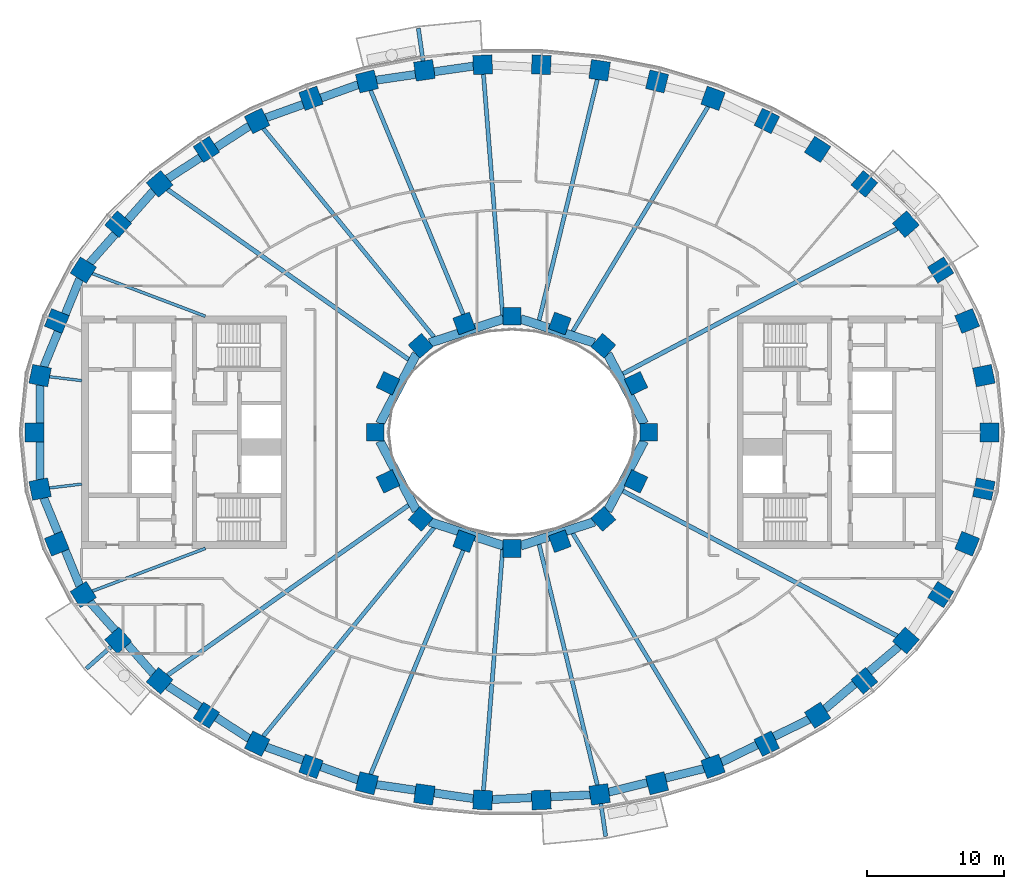
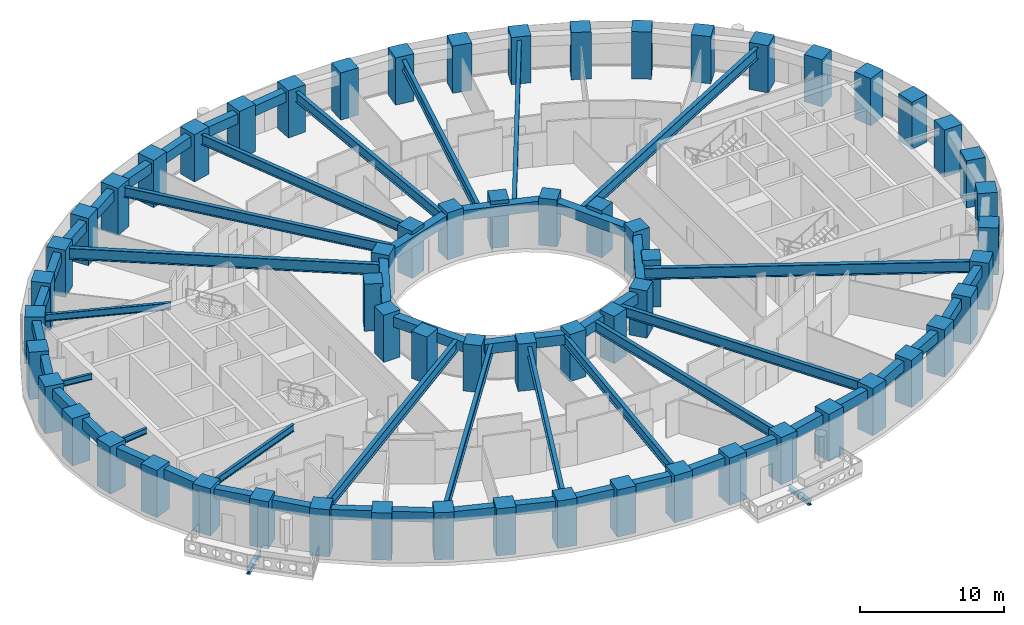
# One storey, part 1 of 16: 62 columns, 44 beams.
"""IFC4 building model written with IfcOpenShell, lengths in metres."""

from ifc_helpers import new_model, si_unit, direction, frame, origin, origin_2d, place, context, subcontext, project, spatial, rectangle, i_section, extrude, material, material_profile, profile_set, type_object, element, save


model = new_model("IFC4")

# Units and contexts
model_context = context("Model", 3, precision=1e-05, world=origin(), true_north=direction((0.0, 1.0)))
body_context = subcontext(model_context, "Body", "Model", "MODEL_VIEW")
ifc_project = project(units=[si_unit("LENGTHUNIT", "METRE"), si_unit("AREAUNIT", "SQUARE_METRE"), si_unit("VOLUMEUNIT", "CUBIC_METRE"), si_unit("PLANEANGLEUNIT", "RADIAN"), si_unit("MASSUNIT", "GRAM", prefix="KILO")], contexts=[model_context])

# Site, building, storey
site_placement = place(None, origin())
site = spatial("IfcSite", under=ifc_project, at=site_placement, CompositionType="ELEMENT")
building_placement = place(site_placement, origin())
building = spatial("IfcBuilding", under=site, at=building_placement, Name="Noorbagh Ring Tower", CompositionType="ELEMENT")
storey_placement = place(building_placement, frame((0.0, 0.0, 66.5)))
storey = spatial("IfcBuildingStorey", under=building, at=storey_placement, Name="L14", CompositionType="ELEMENT", Elevation=66.5)

# Columns
ifc_material_1 = material(Name="Concrete C70/85", Category="concrete")
ifc_material_profile_1 = material_profile(ifc_material_1, rectangle(XDim=1.39990234375, YDim=1.39990234375, at=origin_2d()), Name="RC1400x1400")
ifc_profile_set_1 = profile_set([ifc_material_profile_1], Name="Concrete C70/85")
column_type_1 = type_object("IfcColumnType", Name="STR-COL-RC1400x1400-C70-85", PredefinedType="COLUMN", material=ifc_profile_set_1)
for number, where, z_axis, x_axis, name in (
    (1, (34.944580078125, 0.0, 0.0), (0.0, 0.0, 1.0), (0.0, 1.0, 0.0), "L14/col/R1-01"),
    (2, (34.52685546875, 4.150634765625, 0.0), (0.0, 0.0, 1.0), (-0.19723040178, 0.9803571638, 0.0), "L14/col/R1-02"),
    (3, (33.30517578125, 8.1494140625, 0.0), (0.0, 0.0, 1.0), (-0.378989499959, 0.925400971969, 0.0), "L14/col/R1-03"),
    (4, (31.364990234375, 11.87109375, 0.0), (0.0, 0.0, 1.0), (-0.535190403059, 0.844731455833, 0.0), "L14/col/R1-04"),
    (5, (28.81884765625, 15.23046875, 0.0), (0.0, 0.0, 1.0), (-0.662635642662, 0.748941923699, 0.0), "L14/col/R1-05"),
    (6, (25.78271484375, 18.180419921875, 0.0), (0.0, 0.0, 1.0), (-0.763035199656, 0.646356932419, 0.0), "L14/col/R1-06"),
    (7, (22.362060546875, 20.699951171875, 0.0), (0.0, 0.0, 1.0), (-0.840247639643, 0.542202825586, 0.0), "L14/col/R1-07"),
    (8, (18.646240234375, 22.785400390625, 0.0), (0.0, 0.0, 1.0), (-0.898399080868, 0.439180021741, 0.0), "L14/col/R1-08"),
    (9, (14.70947265625, 24.44091796875, 0.0), (0.0, 0.0, 1.0), (-0.941024726094, 0.338337797003, 0.0), "L14/col/R1-09"),
    (10, (10.61328125, 25.673583984375, 0.0), (0.0, 0.0, 1.0), (-0.970829360981, 0.239771457553, 0.0), "L14/col/R1-10"),
    (11, (6.4091796875, 26.49072265625, 0.0), (0.0, 0.0, 1.0), (-0.989713114048, 0.143066249975, 0.0), "L14/col/R1-11"),
    (12, (2.14306640625, 26.89794921875, 0.0), (0.0, 0.0, 1.0), (-0.998868731212, 0.047552684538, 0.0), "L14/col/R1-12"),
    (13, (-2.14306640625, 26.89794921875, 0.0), (0.0, 0.0, 1.0), (-0.998868731212, -0.047552684538, 0.0), "L14/col/R1-13"),
    (14, (-6.4091796875, 26.49072265625, 0.0), (0.0, 0.0, 1.0), (-0.989713114048, -0.143066249975, 0.0), "L14/col/R1-14"),
    (15, (-10.61328125, 25.673583984375, 0.0), (0.0, 0.0, 1.0), (-0.970829360981, -0.239771457553, 0.0), "L14/col/R1-15"),
    (16, (-14.70947265625, 24.44091796875, 0.0), (0.0, 0.0, 1.0), (-0.941024726094, -0.338337797003, 0.0), "L14/col/R1-16"),
    (17, (-18.646240234375, 22.785400390625, 0.0), (0.0, 0.0, 1.0), (-0.898399080868, -0.439180021741, 0.0), "L14/col/R1-17"),
    (18, (-22.362060546875, 20.699951171875, 0.0), (0.0, 0.0, 1.0), (-0.840247639643, -0.542202825586, 0.0), "L14/col/R1-18"),
    (19, (-25.78271484375, 18.180419921875, 0.0), (0.0, 0.0, 1.0), (-0.763035199656, -0.646356932419, 0.0), "L14/col/R1-19"),
    (20, (-28.81884765625, 15.23046875, 0.0), (0.0, 0.0, 1.0), (-0.662635642662, -0.748941923699, 0.0), "L14/col/R1-20"),
    (21, (-31.364990234375, 11.87109375, 0.0), (0.0, 0.0, 1.0), (-0.535190403059, -0.844731455833, 0.0), "L14/col/R1-21"),
    (22, (-33.30517578125, 8.1494140625, 0.0), (0.0, 0.0, 1.0), (-0.378989499959, -0.925400971969, 0.0), "L14/col/R1-22"),
    (23, (-34.52685546875, 4.150634765625, 0.0), (0.0, 0.0, 1.0), (-0.19723040178, -0.9803571638, 0.0), "L14/col/R1-23"),
    (24, (-34.944580078125, 0.0, 0.0), (0.0, 0.0, 1.0), (0.0, -1.0, 0.0), "L14/col/R1-24"),
    (25, (-34.52685546875, -4.150634765625, 0.0), (0.0, 0.0, 1.0), (0.19723040178, -0.9803571638, 0.0), "L14/col/R1-25"),
    (26, (-33.30517578125, -8.1494140625, 0.0), (0.0, 0.0, 1.0), (0.378989499959, -0.925400971969, 0.0), "L14/col/R1-26"),
    (27, (-31.364990234375, -11.87109375, 0.0), (0.0, 0.0, 1.0), (0.535190403059, -0.844731455833, 0.0), "L14/col/R1-27"),
    (28, (-28.81884765625, -15.23046875, 0.0), (0.0, 0.0, 1.0), (0.662635642662, -0.748941923699, 0.0), "L14/col/R1-28"),
    (29, (-25.78271484375, -18.180419921875, 0.0), (0.0, 0.0, 1.0), (0.763035199656, -0.646356932419, 0.0), "L14/col/R1-29"),
    (30, (-22.362060546875, -20.699951171875, 0.0), (0.0, 0.0, 1.0), (0.840247639643, -0.542202825586, 0.0), "L14/col/R1-30"),
    (31, (-18.646240234375, -22.785400390625, 0.0), (0.0, 0.0, 1.0), (0.898399080868, -0.439180021741, 0.0), "L14/col/R1-31"),
    (32, (-14.70947265625, -24.44091796875, 0.0), (0.0, 0.0, 1.0), (0.941024726094, -0.338337797003, 0.0), "L14/col/R1-32"),
    (33, (-10.61328125, -25.673583984375, 0.0), (0.0, 0.0, 1.0), (0.970829360981, -0.239771457553, 0.0), "L14/col/R1-33"),
    (34, (-6.4091796875, -26.49072265625, 0.0), (0.0, 0.0, 1.0), (0.989713114048, -0.143066249975, 0.0), "L14/col/R1-34"),
    (35, (-2.14306640625, -26.89794921875, 0.0), (0.0, 0.0, 1.0), (0.998868731212, -0.047552684538, 0.0), "L14/col/R1-35"),
    (36, (2.14306640625, -26.89794921875, 0.0), (0.0, 0.0, 1.0), (0.998868731212, 0.047552684538, 0.0), "L14/col/R1-36"),
    (37, (6.4091796875, -26.49072265625, 0.0), (0.0, 0.0, 1.0), (0.989713114048, 0.143066249975, 0.0), "L14/col/R1-37"),
    (38, (10.61328125, -25.673583984375, 0.0), (0.0, 0.0, 1.0), (0.970829360981, 0.239771457553, 0.0), "L14/col/R1-38"),
    (39, (14.70947265625, -24.44091796875, 0.0), (0.0, 0.0, 1.0), (0.941024726094, 0.338337797003, 0.0), "L14/col/R1-39"),
    (40, (18.646240234375, -22.785400390625, 0.0), (0.0, 0.0, 1.0), (0.898399080868, 0.439180021741, 0.0), "L14/col/R1-40"),
    (41, (22.362060546875, -20.699951171875, 0.0), (0.0, 0.0, 1.0), (0.840247639643, 0.542202825586, 0.0), "L14/col/R1-41"),
    (42, (25.78271484375, -18.180419921875, 0.0), (0.0, 0.0, 1.0), (0.763035199656, 0.646356932419, 0.0), "L14/col/R1-42"),
    (43, (28.81884765625, -15.23046875, 0.0), (0.0, 0.0, 1.0), (0.662635642662, 0.748941923699, 0.0), "L14/col/R1-43"),
    (44, (31.364990234375, -11.87109375, 0.0), (0.0, 0.0, 1.0), (0.535190403059, 0.844731455833, 0.0), "L14/col/R1-44"),
    (45, (33.30517578125, -8.1494140625, 0.0), (0.0, 0.0, 1.0), (0.378989499959, 0.925400971969, 0.0), "L14/col/R1-45"),
    (46, (34.52685546875, -4.150634765625, 0.0), (0.0, 0.0, 1.0), (0.19723040178, 0.9803571638, 0.0), "L14/col/R1-46"),
):
    element("IfcColumn", number, at=place(storey_placement, frame(where, z_axis=z_axis, x_axis=x_axis)), inside=storey, type_object=column_type_1, Name=name, PredefinedType="COLUMN", context=body_context, shape_type="SweptSolid", body=[
        extrude(rectangle(XDim=1.39990234375, YDim=1.39990234375, at=origin_2d()), origin(), (0.0, 0.0, 1.0), 4.0),
    ])
ifc_material_2 = material(Name="Concrete C70/85", Category="concrete")
ifc_material_profile_2 = material_profile(ifc_material_2, rectangle(XDim=1.300048828125, YDim=1.300048828125, at=origin_2d()), Name="RC1300x1300")
ifc_profile_set_2 = profile_set([ifc_material_profile_2], Name="Concrete C70/85")
column_type_2 = type_object("IfcColumnType", Name="STR-ICOL-RC1300x1300-C70-85", PredefinedType="COLUMN", material=ifc_profile_set_2)
for number, where, z_axis, x_axis, name in (
    (47, (10.00830078125, 0.0, 0.0), (0.0, 0.0, 1.0), (0.0, 1.0, 0.0), "L14/col/IR2-W01"),
    (48, (9.07568359375, 3.58837890625, 0.0), (0.0, 0.0, 1.0), (-0.428666979171, 0.903462573087, 0.0), "L14/col/IR2-W03"),
    (49, (6.68212890625, 6.333740234375, 0.0), (0.0, 0.0, 1.0), (-0.75102249095, 0.660276622399, 0.0), "L14/col/IR2-W05"),
    (50, (3.5009765625, 7.967041015625, 0.0), (0.0, 0.0, 1.0), (-0.939019578916, 0.343863679984, 0.0), "L14/col/IR2-W07"),
    (51, (0.0, 8.5029296875, 0.0), (0.0, 0.0, 1.0), (-1.0, 0.0, 0.0), "L14/col/IR2-W09"),
    (52, (-3.5009765625, 7.967041015625, 0.0), (0.0, 0.0, 1.0), (-0.939019578916, -0.343863679984, 0.0), "L14/col/IR2-W11"),
    (53, (-6.68212890625, 6.333740234375, 0.0), (0.0, 0.0, 1.0), (-0.75102249095, -0.660276622399, 0.0), "L14/col/IR2-W13"),
    (54, (-9.07568359375, 3.58837890625, 0.0), (0.0, 0.0, 1.0), (-0.428666979171, -0.903462573087, 0.0), "L14/col/IR2-W15"),
    (55, (-10.00830078125, 0.0, 0.0), (0.0, 0.0, 1.0), (0.0, -1.0, 0.0), "L14/col/IR2-W17"),
    (56, (-9.07568359375, -3.58837890625, 0.0), (0.0, 0.0, 1.0), (0.428666979171, -0.903462573087, 0.0), "L14/col/IR2-W19"),
    (57, (-6.68212890625, -6.333740234375, 0.0), (0.0, 0.0, 1.0), (0.75102249095, -0.660276622399, 0.0), "L14/col/IR2-W21"),
    (58, (-3.5009765625, -7.967041015625, 0.0), (0.0, 0.0, 1.0), (0.939019578916, -0.343863679984, 0.0), "L14/col/IR2-W23"),
    (59, (0.0, -8.5029296875, 0.0), (0.0, 0.0, 1.0), (1.0, 0.0, 0.0), "L14/col/IR2-W25"),
    (60, (3.5009765625, -7.967041015625, 0.0), (0.0, 0.0, 1.0), (0.939019578916, 0.343863679984, 0.0), "L14/col/IR2-W27"),
    (61, (6.68212890625, -6.333740234375, 0.0), (0.0, 0.0, 1.0), (0.75102249095, 0.660276622399, 0.0), "L14/col/IR2-W29"),
    (62, (9.07568359375, -3.58837890625, 0.0), (0.0, 0.0, 1.0), (0.428666979171, 0.903462573087, 0.0), "L14/col/IR2-W31"),
):
    element("IfcColumn", number, at=place(storey_placement, frame(where, z_axis=z_axis, x_axis=x_axis)), inside=storey, type_object=column_type_2, Name=name, PredefinedType="COLUMN", context=body_context, shape_type="SweptSolid", body=[
        extrude(rectangle(XDim=1.300048828125, YDim=1.300048828125, at=origin_2d()), origin(), (0.0, 0.0, 1.0), 4.0),
    ])

# Beams
ifc_material_3 = material(Name="Steel S355", Category="steel")
ifc_material_profile_3 = material_profile(ifc_material_3, i_section(OverallWidth=0.300048828125, OverallDepth=0.39990234375, WebThickness=0.013427734375, FlangeThickness=0.02392578125, FilletRadius=0.027099609375, at=origin_2d()), Name="HEB400")
ifc_profile_set_3 = profile_set([ifc_material_profile_3], Name="Steel S355")
beam_type_1 = type_object("IfcBeamType", Name="STR-BALCONY-BRACKET-HEB400", PredefinedType="BEAM", material=ifc_profile_set_3)
beam_1_placement = place(storey_placement, frame((-6.506591796875, 27.163818359375, -0.5), z_axis=(-0.143028732143, 0.989718536646, 0.0), x_axis=(-0.989718536646, -0.143028732143, 0.0)))
element("IfcBeam", 63, at=beam_1_placement, inside=storey, type_object=beam_type_1, Name="Balcony bracket beam BN04", PredefinedType="BEAM", context=body_context, shape_type="SweptSolid", body=[
    extrude(i_section(OverallWidth=0.300048828125, OverallDepth=0.39990234375, WebThickness=0.013427734375, FlangeThickness=0.02392578125, FilletRadius=0.027099609375, at=origin_2d()), origin(), (0.0, 0.0, 1.0), 2.423828125),
])
beam_2_placement = place(storey_placement, frame((-29.328125, -15.680908203125, -0.5), z_axis=(-0.74904259367, -0.662521843314, 0.0), x_axis=(0.662521843314, -0.74904259367, 0.0)))
element("IfcBeam", 64, at=beam_2_placement, inside=storey, type_object=beam_type_1, Name="Balcony bracket beam BS01", PredefinedType="BEAM", context=body_context, shape_type="SweptSolid", body=[
    extrude(i_section(OverallWidth=0.300048828125, OverallDepth=0.39990234375, WebThickness=0.013427734375, FlangeThickness=0.02392578125, FilletRadius=0.027099609375, at=origin_2d()), origin(), (0.0, 0.0, 1.0), 2.429443359375),
])
beam_3_placement = place(storey_placement, frame((6.506591796875, -27.163818359375, -0.5), z_axis=(0.143028732143, -0.989718536646, 0.0), x_axis=(0.989718536646, 0.143028732143, 0.0)))
element("IfcBeam", 65, at=beam_3_placement, inside=storey, type_object=beam_type_1, Name="Balcony bracket beam BS04", PredefinedType="BEAM", context=body_context, shape_type="SweptSolid", body=[
    extrude(i_section(OverallWidth=0.300048828125, OverallDepth=0.39990234375, WebThickness=0.013427734375, FlangeThickness=0.02392578125, FilletRadius=0.027099609375, at=origin_2d()), origin(), (0.0, 0.0, 1.0), 2.423828125),
])
ifc_material_4 = material(Name="Steel S355", Category="steel")
ifc_material_profile_4 = material_profile(ifc_material_4, i_section(OverallWidth=0.199951171875, OverallDepth=0.5, WebThickness=0.01025390625, FlangeThickness=0.01611328125, FilletRadius=0.02099609375, at=origin_2d()), Name="IPE500")
ifc_profile_set_4 = profile_set([ifc_material_profile_4], Name="Steel S355")
beam_type_2 = type_object("IfcBeamType", Name="STR-RAD-IPE500", PredefinedType="BEAM", material=ifc_profile_set_4)
for number, where, z_axis, x_axis, name in (
    (66, (-33.849365234375, 4.0693359375, 3.449951171875), (0.992846305677, -0.119399385689, 0.0), (0.119399385689, 0.992846305677, 0.0), "L14/bm/RD23"),
    (67, (-33.849365234375, -4.0693359375, 3.449951171875), (0.992846305677, 0.119399385689, 0.0), (-0.119399385689, 0.992846305677, 0.0), "L14/bm/RD25"),
):
    element("IfcBeam", number, at=place(storey_placement, frame(where, z_axis=z_axis, x_axis=x_axis)), inside=storey, type_object=beam_type_2, Name=name, PredefinedType="BEAM", context=body_context, shape_type="SweptSolid", body=[
        extrude(i_section(OverallWidth=0.199951171875, OverallDepth=0.5, WebThickness=0.01025390625, FlangeThickness=0.01611328125, FilletRadius=0.02099609375, at=origin_2d()), origin(), (0.0, 0.0, 1.0), 2.38623046875),
    ])
ifc_material_5 = material(Name="Steel S355", Category="steel")
ifc_material_profile_5 = material_profile(ifc_material_5, i_section(OverallWidth=0.219970703125, OverallDepth=0.60009765625, WebThickness=0.011962890625, FlangeThickness=0.01904296875, FilletRadius=0.02392578125, at=origin_2d()), Name="IPE600")
ifc_profile_set_5 = profile_set([ifc_material_profile_5], Name="Steel S355")
beam_type_3 = type_object("IfcBeamType", Name="STR-RAD-IPE600", PredefinedType="BEAM", material=ifc_profile_set_5)
for number, where, z_axis, x_axis, name in (
    (68, (-30.71533203125, 11.625, 3.39990234375), (0.935257869922, -0.353967112524, 0.0), (0.353967112524, 0.935257869922, 0.0), "L14/bm/RD21"),
    (69, (-30.71533203125, -11.625, 3.39990234375), (0.935257869922, 0.353967112524, 0.0), (-0.353967112524, 0.935257869922, 0.0), "L14/bm/RD27"),
):
    element("IfcBeam", number, at=place(storey_placement, frame(where, z_axis=z_axis, x_axis=x_axis)), inside=storey, type_object=beam_type_3, Name=name, PredefinedType="BEAM", context=body_context, shape_type="SweptSolid", body=[
        extrude(i_section(OverallWidth=0.219970703125, OverallDepth=0.60009765625, WebThickness=0.011962890625, FlangeThickness=0.01904296875, FilletRadius=0.02392578125, at=origin_2d()), origin(), (0.0, 0.0, 1.0), 8.848388671875),
    ])
ifc_material_6 = material(Name="Steel S355", Category="steel")
ifc_material_profile_6 = material_profile(ifc_material_6, i_section(OverallWidth=0.300048828125, OverallDepth=0.85009765625, WebThickness=0.013916015625, FlangeThickness=0.028076171875, at=origin_2d()), Name="PG850x300x14x28")
ifc_profile_set_6 = profile_set([ifc_material_profile_6], Name="Steel S355")
beam_type_4 = type_object("IfcBeamType", Name="STR-RAD-PG850x300x14x28", PredefinedType="BEAM", material=ifc_profile_set_6)
beam_4_placement = place(storey_placement, frame((14.351806640625, 23.846435546875, 3.27490234375), z_axis=(-0.515659258166, -0.856793749667, 0.0), x_axis=(0.856793749667, -0.515659258166, 0.0)))
element("IfcBeam", 70, at=beam_4_placement, inside=storey, type_object=beam_type_4, Name="L14/bm/RD09", PredefinedType="BEAM", context=body_context, shape_type="SweptSolid", body=[
    extrude(i_section(OverallWidth=0.300048828125, OverallDepth=0.85009765625, WebThickness=0.013916015625, FlangeThickness=0.028076171875, at=origin_2d()), origin(), (0.0, 0.0, 1.0), 19.216552734375),
])
beam_5_placement = place(storey_placement, frame((6.24853515625, 25.826904296875, 3.27490234375), z_axis=(-0.235159307557, -0.971956840641, 0.0), x_axis=(0.971956840641, -0.235159307557, 0.0)))
element("IfcBeam", 71, at=beam_5_placement, inside=storey, type_object=beam_type_4, Name="L14/bm/RD11", PredefinedType="BEAM", context=body_context, shape_type="SweptSolid", body=[
    extrude(i_section(OverallWidth=0.300048828125, OverallDepth=0.85009765625, WebThickness=0.013916015625, FlangeThickness=0.028076171875, at=origin_2d()), origin(), (0.0, 0.0, 1.0), 18.15478515625),
])
beam_6_placement = place(storey_placement, frame((-2.089111328125, 26.2197265625, 3.27490234375), z_axis=(0.079423302335, -0.996840979819, 0.0), x_axis=(0.996840979819, 0.079423302335, 0.0)))
element("IfcBeam", 72, at=beam_6_placement, inside=storey, type_object=beam_type_4, Name="L14/bm/RD13", PredefinedType="BEAM", context=body_context, shape_type="SweptSolid", body=[
    extrude(i_section(OverallWidth=0.300048828125, OverallDepth=0.85009765625, WebThickness=0.013916015625, FlangeThickness=0.028076171875, at=origin_2d()), origin(), (0.0, 0.0, 1.0), 17.874755859375),
])
beam_7_placement = place(storey_placement, frame((-10.350341796875, 25.037841796875, 3.27490234375), z_axis=(0.382027684337, -0.924150879673, 0.0), x_axis=(0.924150879673, 0.382027684337, 0.0)))
element("IfcBeam", 73, at=beam_7_placement, inside=storey, type_object=beam_type_4, Name="L14/bm/RD15", PredefinedType="BEAM", context=body_context, shape_type="SweptSolid", body=[
    extrude(i_section(OverallWidth=0.300048828125, OverallDepth=0.85009765625, WebThickness=0.013916015625, FlangeThickness=0.028076171875, at=origin_2d()), origin(), (0.0, 0.0, 1.0), 18.6748046875),
])
for number, where, z_axis, x_axis, name in (
    (74, (-18.20361328125, 22.244384765625, 3.27490234375), (0.633313916814, -0.773895007588, 0.0), (0.773895007588, 0.633313916814, 0.0), "L14/bm/RD17"),
    (75, (-18.20361328125, -22.244384765625, 3.27490234375), (0.633313916814, 0.773895007588, 0.0), (-0.773895007588, 0.633313916814, 0.0), "L14/bm/RD31"),
):
    element("IfcBeam", number, at=place(storey_placement, frame(where, z_axis=z_axis, x_axis=x_axis)), inside=storey, type_object=beam_type_4, Name=name, PredefinedType="BEAM", context=body_context, shape_type="SweptSolid", body=[
        extrude(i_section(OverallWidth=0.300048828125, OverallDepth=0.85009765625, WebThickness=0.013916015625, FlangeThickness=0.028076171875, at=origin_2d()), origin(), (0.0, 0.0, 1.0), 19.733642578125),
    ])
beam_8_placement = place(storey_placement, frame((-10.350341796875, -25.037841796875, 3.27490234375), z_axis=(0.382027684337, 0.924150879673, 0.0), x_axis=(-0.924150879673, 0.382027684337, 0.0)))
element("IfcBeam", 76, at=beam_8_placement, inside=storey, type_object=beam_type_4, Name="L14/bm/RD33", PredefinedType="BEAM", context=body_context, shape_type="SweptSolid", body=[
    extrude(i_section(OverallWidth=0.300048828125, OverallDepth=0.85009765625, WebThickness=0.013916015625, FlangeThickness=0.028076171875, at=origin_2d()), origin(), (0.0, 0.0, 1.0), 18.6748046875),
])
beam_9_placement = place(storey_placement, frame((-2.089111328125, -26.2197265625, 3.27490234375), z_axis=(0.079423302335, 0.996840979819, 0.0), x_axis=(-0.996840979819, 0.079423302335, 0.0)))
element("IfcBeam", 77, at=beam_9_placement, inside=storey, type_object=beam_type_4, Name="L14/bm/RD35", PredefinedType="BEAM", context=body_context, shape_type="SweptSolid", body=[
    extrude(i_section(OverallWidth=0.300048828125, OverallDepth=0.85009765625, WebThickness=0.013916015625, FlangeThickness=0.028076171875, at=origin_2d()), origin(), (0.0, 0.0, 1.0), 17.874755859375),
])
beam_10_placement = place(storey_placement, frame((6.24853515625, -25.826904296875, 3.27490234375), z_axis=(-0.235159307557, 0.971956840641, 0.0), x_axis=(-0.971956840641, -0.235159307557, 0.0)))
element("IfcBeam", 78, at=beam_10_placement, inside=storey, type_object=beam_type_4, Name="L14/bm/RD37", PredefinedType="BEAM", context=body_context, shape_type="SweptSolid", body=[
    extrude(i_section(OverallWidth=0.300048828125, OverallDepth=0.85009765625, WebThickness=0.013916015625, FlangeThickness=0.028076171875, at=origin_2d()), origin(), (0.0, 0.0, 1.0), 18.15478515625),
])
beam_11_placement = place(storey_placement, frame((14.351806640625, -23.846435546875, 3.27490234375), z_axis=(-0.515659258166, 0.856793749667, 0.0), x_axis=(-0.856793749667, -0.515659258166, 0.0)))
element("IfcBeam", 79, at=beam_11_placement, inside=storey, type_object=beam_type_4, Name="L14/bm/RD39", PredefinedType="BEAM", context=body_context, shape_type="SweptSolid", body=[
    extrude(i_section(OverallWidth=0.300048828125, OverallDepth=0.85009765625, WebThickness=0.013916015625, FlangeThickness=0.028076171875, at=origin_2d()), origin(), (0.0, 0.0, 1.0), 19.216552734375),
])
ifc_material_7 = material(Name="Steel S355", Category="steel")
ifc_material_profile_7 = material_profile(ifc_material_7, i_section(OverallWidth=0.320068359375, OverallDepth=0.949951171875, WebThickness=0.01611328125, FlangeThickness=0.030029296875, at=origin_2d()), Name="PG950x320x16x30")
ifc_profile_set_7 = profile_set([ifc_material_profile_7], Name="Steel S355")
beam_type_5 = type_object("IfcBeamType", Name="STR-RAD-PG950x320x16x30", PredefinedType="BEAM", material=ifc_profile_set_7)
beam_12_placement = place(storey_placement, frame((28.19970703125, 14.9033203125, 3.22509765625), z_axis=(-0.884122895435, -0.467254433652, 0.0), x_axis=(0.467254433652, -0.884122895435, 0.0)))
element("IfcBeam", 80, at=beam_12_placement, inside=storey, type_object=beam_type_5, Name="L14/bm/RD05", PredefinedType="BEAM", context=body_context, shape_type="SweptSolid", body=[
    extrude(i_section(OverallWidth=0.320068359375, OverallDepth=0.949951171875, WebThickness=0.01611328125, FlangeThickness=0.030029296875, at=origin_2d()), origin(), (0.0, 0.0, 1.0), 22.729736328125),
])
for number, where, z_axis, x_axis, name in (
    (81, (-25.2080078125, 17.775146484375, 3.22509765625), (0.817254380301, -0.576277084291, 0.0), (0.576277084291, 0.817254380301, 0.0), "L14/bm/RD19"),
    (82, (-25.2080078125, -17.775146484375, 3.22509765625), (0.817254380301, 0.576277084291, 0.0), (-0.576277084291, 0.817254380301, 0.0), "L14/bm/RD29"),
):
    element("IfcBeam", number, at=place(storey_placement, frame(where, z_axis=z_axis, x_axis=x_axis)), inside=storey, type_object=beam_type_5, Name=name, PredefinedType="BEAM", context=body_context, shape_type="SweptSolid", body=[
        extrude(i_section(OverallWidth=0.320068359375, OverallDepth=0.949951171875, WebThickness=0.01611328125, FlangeThickness=0.030029296875, at=origin_2d()), origin(), (0.0, 0.0, 1.0), 21.599853515625),
    ])
beam_13_placement = place(storey_placement, frame((28.19970703125, -14.9033203125, 3.22509765625), z_axis=(-0.884122895435, 0.467254433652, 0.0), x_axis=(-0.467254433652, -0.884122895435, 0.0)))
element("IfcBeam", 83, at=beam_13_placement, inside=storey, type_object=beam_type_5, Name="L14/bm/RD43", PredefinedType="BEAM", context=body_context, shape_type="SweptSolid", body=[
    extrude(i_section(OverallWidth=0.320068359375, OverallDepth=0.949951171875, WebThickness=0.01611328125, FlangeThickness=0.030029296875, at=origin_2d()), origin(), (0.0, 0.0, 1.0), 22.729736328125),
])
ifc_material_8 = material(Name="Concrete C40/50", Category="concrete")
ifc_material_profile_8 = material_profile(ifc_material_8, rectangle(XDim=0.64990234375, YDim=0.85009765625, at=origin_2d()), Name="RC650x850")
ifc_profile_set_8 = profile_set([ifc_material_profile_8], Name="Concrete C40/50")
beam_type_6 = type_object("IfcBeamType", Name="STR-RB-RC650x850-C40-50", PredefinedType="BEAM", material=ifc_profile_set_8)
beam_14_placement = place(storey_placement, frame((9.67626953125, 0.63232421875, 3.27490234375), z_axis=(-0.464932685401, 0.885346032942, 0.0), x_axis=(-0.885346032942, -0.464932685401, 0.0)))
element("IfcBeam", 84, at=beam_14_placement, inside=storey, type_object=beam_type_6, Name="L14/bm/RG01", PredefinedType="BEAM", context=body_context, shape_type="SweptSolid", body=[
    extrude(rectangle(XDim=0.64990234375, YDim=0.85009765625, at=origin_2d()), origin(), (0.0, 0.0, 1.0), 5.763671875),
])
for number, where, z_axis, x_axis, name in (
    (85, (6.02783203125, 6.546142578125, 3.27490234375), (-0.95114088461, 0.308757214691, 0.0), (-0.308757214691, -0.95114088461, 0.0), "L14/bm/RG03"),
    (86, (-0.630859375, 8.298095703125, 3.27490234375), (-0.95114088461, -0.308757214691, 0.0), (0.308757214691, -0.95114088461, 0.0), "L14/bm/RG05"),
):
    element("IfcBeam", number, at=place(storey_placement, frame(where, z_axis=z_axis, x_axis=x_axis)), inside=storey, type_object=beam_type_6, Name=name, PredefinedType="BEAM", context=body_context, shape_type="SweptSolid", body=[
        extrude(rectangle(XDim=0.64990234375, YDim=0.85009765625, at=origin_2d()), origin(), (0.0, 0.0, 1.0), 5.67431640625),
    ])
for number, where, z_axis, x_axis, name in (
    (87, (-6.99658203125, 5.735107421875, 3.27490234375), (-0.464932685401, -0.885346032942, 0.0), (0.885346032942, -0.464932685401, 0.0), "L14/bm/RG07"),
    (88, (-9.67626953125, -0.63232421875, 3.27490234375), (0.464932685401, -0.885346032942, 0.0), (0.885346032942, 0.464932685401, 0.0), "L14/bm/RG09"),
):
    element("IfcBeam", number, at=place(storey_placement, frame(where, z_axis=z_axis, x_axis=x_axis)), inside=storey, type_object=beam_type_6, Name=name, PredefinedType="BEAM", context=body_context, shape_type="SweptSolid", body=[
        extrude(rectangle(XDim=0.64990234375, YDim=0.85009765625, at=origin_2d()), origin(), (0.0, 0.0, 1.0), 5.763671875),
    ])
for number, where, z_axis, x_axis, name in (
    (89, (-6.02783203125, -6.546142578125, 3.27490234375), (0.95114088461, -0.308757214691, 0.0), (0.308757214691, 0.95114088461, 0.0), "L14/bm/RG11"),
    (90, (0.630859375, -8.298095703125, 3.27490234375), (0.95114088461, 0.308757214691, 0.0), (-0.308757214691, 0.95114088461, 0.0), "L14/bm/RG13"),
):
    element("IfcBeam", number, at=place(storey_placement, frame(where, z_axis=z_axis, x_axis=x_axis)), inside=storey, type_object=beam_type_6, Name=name, PredefinedType="BEAM", context=body_context, shape_type="SweptSolid", body=[
        extrude(rectangle(XDim=0.64990234375, YDim=0.85009765625, at=origin_2d()), origin(), (0.0, 0.0, 1.0), 5.67431640625),
    ])
beam_15_placement = place(storey_placement, frame((6.99658203125, -5.735107421875, 3.27490234375), z_axis=(0.464932685401, 0.885346032942, 0.0), x_axis=(-0.885346032942, 0.464932685401, 0.0)))
element("IfcBeam", 91, at=beam_15_placement, inside=storey, type_object=beam_type_6, Name="L14/bm/RG15", PredefinedType="BEAM", context=body_context, shape_type="SweptSolid", body=[
    extrude(rectangle(XDim=0.64990234375, YDim=0.85009765625, at=origin_2d()), origin(), (0.0, 0.0, 1.0), 5.763671875),
])
ifc_material_9 = material(Name="Concrete C40/50", Category="concrete")
ifc_material_profile_9 = material_profile(ifc_material_9, rectangle(XDim=0.60009765625, YDim=0.85009765625, at=origin_2d()), Name="RC600x850")
ifc_profile_set_9 = profile_set([ifc_material_profile_9], Name="Concrete C40/50")
beam_type_7 = type_object("IfcBeamType", Name="STR-SB-RC600x850-C40-50", PredefinedType="BEAM", material=ifc_profile_set_9)
beam_16_placement = place(storey_placement, frame((-2.8193359375, 26.80029296875, 3.27490234375), z_axis=(-0.989713887857, -0.143060896766, 0.0), x_axis=(0.143060896766, -0.989713887857, 0.0)))
element("IfcBeam", 92, at=beam_16_placement, inside=storey, type_object=beam_type_7, Name="L14/bm/SP13", PredefinedType="BEAM", context=body_context, shape_type="SweptSolid", body=[
    extrude(rectangle(XDim=0.60009765625, YDim=0.85009765625, at=origin_2d()), origin(), (0.0, 0.0, 1.0), 7.19140625),
])
beam_17_placement = place(storey_placement, frame((-11.256591796875, 25.4423828125, 3.27490234375), z_axis=(-0.941019322025, -0.338352827054, 0.0), x_axis=(0.338352827054, -0.941019322025, 0.0)))
element("IfcBeam", 93, at=beam_17_placement, inside=storey, type_object=beam_type_7, Name="L14/bm/SP15", PredefinedType="BEAM", context=body_context, shape_type="SweptSolid", body=[
    extrude(rectangle(XDim=0.60009765625, YDim=0.85009765625, at=origin_2d()), origin(), (0.0, 0.0, 1.0), 7.168701171875),
])
beam_18_placement = place(storey_placement, frame((-19.2216796875, 22.4140625, 3.27490234375), z_axis=(-0.840247280939, -0.542203381467, 0.0), x_axis=(0.542203381467, -0.840247280939, 0.0)))
element("IfcBeam", 94, at=beam_18_placement, inside=storey, type_object=beam_type_7, Name="L14/bm/SP17", PredefinedType="BEAM", context=body_context, shape_type="SweptSolid", body=[
    extrude(rectangle(XDim=0.60009765625, YDim=0.85009765625, at=origin_2d()), origin(), (0.0, 0.0, 1.0), 7.12255859375),
])
beam_19_placement = place(storey_placement, frame((-26.238037109375, 17.66552734375, 3.27490234375), z_axis=(-0.66264637691, -0.748932426303, 0.0), x_axis=(0.748932426303, -0.66264637691, 0.0)))
element("IfcBeam", 95, at=beam_19_placement, inside=storey, type_object=beam_type_7, Name="L14/bm/SP19", PredefinedType="BEAM", context=body_context, shape_type="SweptSolid", body=[
    extrude(rectangle(XDim=0.60009765625, YDim=0.85009765625, at=origin_2d()), origin(), (0.0, 0.0, 1.0), 7.048095703125),
])
beam_20_placement = place(storey_placement, frame((-31.626953125, 11.2314453125, 3.27490234375), z_axis=(-0.378975710003, -0.925406619399, 0.0), x_axis=(0.925406619399, -0.378975710003, 0.0)))
element("IfcBeam", 96, at=beam_20_placement, inside=storey, type_object=beam_type_7, Name="L14/bm/SP21", PredefinedType="BEAM", context=body_context, shape_type="SweptSolid", body=[
    extrude(rectangle(XDim=0.60009765625, YDim=0.85009765625, at=origin_2d()), origin(), (0.0, 0.0, 1.0), 6.958740234375),
])
beam_21_placement = place(storey_placement, frame((-34.52685546875, 3.45654296875, 3.27490234375), z_axis=(0.0, -1.0, 0.0), x_axis=(1.0, 0.0, 0.0)))
element("IfcBeam", 97, at=beam_21_placement, inside=storey, type_object=beam_type_7, Name="L14/bm/SP23", PredefinedType="BEAM", context=body_context, shape_type="SweptSolid", body=[
    extrude(rectangle(XDim=0.60009765625, YDim=0.85009765625, at=origin_2d()), origin(), (0.0, 0.0, 1.0), 6.9130859375),
])
beam_22_placement = place(storey_placement, frame((-34.26416015625, -4.791748046875, 3.27490234375), z_axis=(0.378975710003, -0.925406619399, 0.0), x_axis=(0.925406619399, 0.378975710003, 0.0)))
element("IfcBeam", 98, at=beam_22_placement, inside=storey, type_object=beam_type_7, Name="L14/bm/SP25", PredefinedType="BEAM", context=body_context, shape_type="SweptSolid", body=[
    extrude(rectangle(XDim=0.60009765625, YDim=0.85009765625, at=origin_2d()), origin(), (0.0, 0.0, 1.0), 6.958740234375),
])
beam_23_placement = place(storey_placement, frame((-30.908447265625, -12.386962890625, 3.27490234375), z_axis=(0.66264637691, -0.748932426303, 0.0), x_axis=(0.748932426303, 0.66264637691, 0.0)))
element("IfcBeam", 99, at=beam_23_placement, inside=storey, type_object=beam_type_7, Name="L14/bm/SP27", PredefinedType="BEAM", context=body_context, shape_type="SweptSolid", body=[
    extrude(rectangle(XDim=0.60009765625, YDim=0.85009765625, at=origin_2d()), origin(), (0.0, 0.0, 1.0), 7.048095703125),
])
beam_24_placement = place(storey_placement, frame((-25.206298828125, -18.55224609375, 3.27490234375), z_axis=(0.840247280939, -0.542203381467, 0.0), x_axis=(0.542203381467, 0.840247280939, 0.0)))
element("IfcBeam", 100, at=beam_24_placement, inside=storey, type_object=beam_type_7, Name="L14/bm/SP29", PredefinedType="BEAM", context=body_context, shape_type="SweptSolid", body=[
    extrude(rectangle(XDim=0.60009765625, YDim=0.85009765625, at=origin_2d()), origin(), (0.0, 0.0, 1.0), 7.12255859375),
])
beam_25_placement = place(storey_placement, frame((-18.00244140625, -23.016845703125, 3.27490234375), z_axis=(0.941019322025, -0.338352827054, 0.0), x_axis=(0.338352827054, 0.941019322025, 0.0)))
element("IfcBeam", 101, at=beam_25_placement, inside=storey, type_object=beam_type_7, Name="L14/bm/SP31", PredefinedType="BEAM", context=body_context, shape_type="SweptSolid", body=[
    extrude(rectangle(XDim=0.60009765625, YDim=0.85009765625, at=origin_2d()), origin(), (0.0, 0.0, 1.0), 7.168701171875),
])
beam_26_placement = place(storey_placement, frame((-9.936767578125, -25.771484375, 3.27490234375), z_axis=(0.989713887857, -0.143060896766, 0.0), x_axis=(0.143060896766, 0.989713887857, 0.0)))
element("IfcBeam", 102, at=beam_26_placement, inside=storey, type_object=beam_type_7, Name="L14/bm/SP33", PredefinedType="BEAM", context=body_context, shape_type="SweptSolid", body=[
    extrude(rectangle(XDim=0.60009765625, YDim=0.85009765625, at=origin_2d()), origin(), (0.0, 0.0, 1.0), 7.19140625),
])
beam_27_placement = place(storey_placement, frame((-1.460693359375, -26.865478515625, 3.27490234375), z_axis=(0.998869595741, 0.047534521183, 0.0), x_axis=(-0.047534521183, 0.998869595741, 0.0)))
element("IfcBeam", 103, at=beam_27_placement, inside=storey, type_object=beam_type_7, Name="L14/bm/SP35", PredefinedType="BEAM", context=body_context, shape_type="SweptSolid", body=[
    extrude(rectangle(XDim=0.60009765625, YDim=0.85009765625, at=origin_2d()), origin(), (0.0, 0.0, 1.0), 7.195556640625),
])
beam_28_placement = place(storey_placement, frame((7.07275390625, -26.326904296875, 3.27490234375), z_axis=(0.970828401591, 0.239775342069, 0.0), x_axis=(-0.239775342069, 0.970828401591, 0.0)))
element("IfcBeam", 104, at=beam_28_placement, inside=storey, type_object=beam_type_7, Name="L14/bm/SP37", PredefinedType="BEAM", context=body_context, shape_type="SweptSolid", body=[
    extrude(rectangle(XDim=0.60009765625, YDim=0.85009765625, at=origin_2d()), origin(), (0.0, 0.0, 1.0), 7.182373046875),
])
beam_29_placement = place(storey_placement, frame((15.32421875, -24.140380859375, 3.27490234375), z_axis=(0.898400530475, 0.43917705637, 0.0), x_axis=(-0.43917705637, 0.898400530475, 0.0)))
element("IfcBeam", 105, at=beam_29_placement, inside=storey, type_object=beam_type_7, Name="L14/bm/SP39", PredefinedType="BEAM", context=body_context, shape_type="SweptSolid", body=[
    extrude(rectangle(XDim=0.60009765625, YDim=0.85009765625, at=origin_2d()), origin(), (0.0, 0.0, 1.0), 7.14892578125),
])
beam_30_placement = place(storey_placement, frame((22.885498046875, -20.256591796875, 3.27490234375), z_axis=(0.763038677853, 0.646352826327, 0.0), x_axis=(-0.646352826327, 0.763038677853, 0.0)))
element("IfcBeam", 106, at=beam_30_placement, inside=storey, type_object=beam_type_7, Name="L14/bm/SP41", PredefinedType="BEAM", context=body_context, shape_type="SweptSolid", body=[
    extrude(rectangle(XDim=0.60009765625, YDim=0.85009765625, at=origin_2d()), origin(), (0.0, 0.0, 1.0), 7.088623046875),
])

save(model, "model.ifc")
